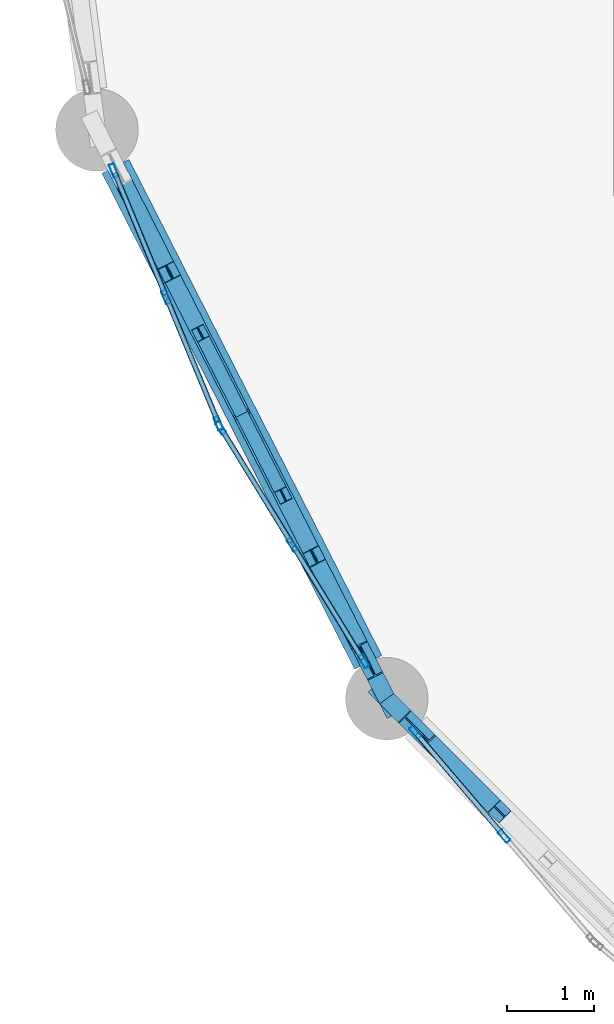
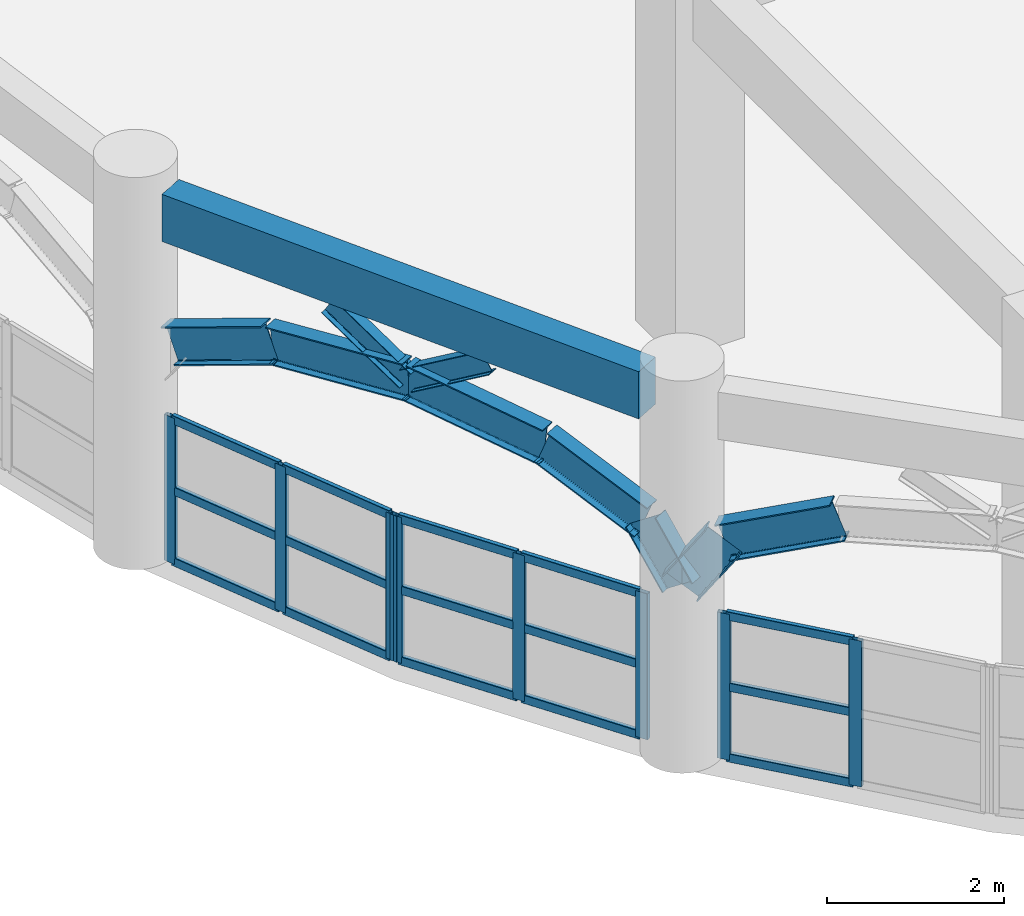
# One storey, part 3 of 114: 25 members, 8 beams, 3 elements without a shape of their own.
"""IFC4 building model written with IfcOpenShell, lengths in metres."""

from ifc_helpers import new_model, si_unit, derived_unit, direction, frame, origin, origin_2d, place, context, subcontext, project, spatial, rectangle, hollow_rectangle, i_section, extrude, material, layer, layer_set, material_profile, profile_set, type_object, element, aggregate, save


model = new_model("IFC4")

# Units and contexts
model_context = context("Model", 3, precision=1e-05, world=origin(), true_north=direction((0.0, 1.0)))
body_context = subcontext(model_context, "Body", "Model", "MODEL_VIEW")
ifc_project = project(units=[si_unit("LENGTHUNIT", "METRE"), si_unit("AREAUNIT", "SQUARE_METRE"), si_unit("VOLUMEUNIT", "CUBIC_METRE"), si_unit("PLANEANGLEUNIT", "RADIAN"), si_unit("MASSUNIT", "GRAM", prefix="KILO"), derived_unit("THERMALTRANSMITTANCEUNIT", [(si_unit("MASSUNIT", "GRAM", prefix="KILO"), 1), (si_unit("TIMEUNIT", "SECOND"), -3), (si_unit("THERMODYNAMICTEMPERATUREUNIT", "KELVIN"), -1)])], contexts=[model_context])

# Site, building, storey
site_placement = place(None, origin())
site = spatial("IfcSite", under=ifc_project, at=site_placement, CompositionType="ELEMENT")
building_placement = place(site_placement, origin())
building = spatial("IfcBuilding", under=site, at=building_placement, Name="Qinzheling Arcade Emporium", CompositionType="ELEMENT")
storey_placement = place(building_placement, frame((0.0, 0.0, 6.0)))
storey = spatial("IfcBuildingStorey", under=building, at=storey_placement, Name="L02", CompositionType="ELEMENT", Elevation=6.0)

# Beams
ifc_material_1 = material(Name="Weathering steel Q355NH", Category="steel")
ifc_material_profile_1 = material_profile(ifc_material_1, i_section(OverallWidth=0.199951171875, OverallDepth=0.5, WebThickness=0.010009765625, FlangeThickness=0.01611328125, FilletRadius=0.01806640625, at=origin_2d()), Name="HN 500x200x10x16", Category="steel")
ifc_profile_set_1 = profile_set([ifc_material_profile_1], Name="Weathering steel Q355NH")
beam_type_1 = type_object("IfcBeamType", Name="Arcade End Arch Rib HN500 Q355NH", PredefinedType="BEAM", material=ifc_profile_set_1)
beam_1_placement = place(storey_placement, frame((1.3740234375, 15.799072265625, 2.988037109375), z_axis=(0.422771604079, -0.831157465024, 0.361166774661), x_axis=(0.891320493951, 0.453373771918, 0.0)))
element("IfcBeam", 1, at=beam_1_placement, inside=storey, type_object=beam_type_1, Name="Curved Arcade Entrance Arch ARC-L02-CV1-B02-C02", PredefinedType="BEAM", context=body_context, shape_type="SweptSolid", body=[
    extrude(i_section(OverallWidth=0.199951171875, OverallDepth=0.5, WebThickness=0.010009765625, FlangeThickness=0.01611328125, FilletRadius=0.01806640625, at=origin_2d()), origin(), (0.0, 0.0, 1.0), 1.442626953125),
])
beam_2_placement = place(storey_placement, frame((1.98388671875, 14.60009765625, 3.509033203125), z_axis=(0.451781588585, -0.886131090151, 0.103271909463), x_axis=(0.890894559015, 0.454210176809, 0.0)))
element("IfcBeam", 2, at=beam_2_placement, inside=storey, type_object=beam_type_1, Name="Curved Arcade Entrance Arch ARC-L02-CV1-B02-C03", PredefinedType="BEAM", context=body_context, shape_type="SweptSolid", body=[
    extrude(i_section(OverallWidth=0.199951171875, OverallDepth=0.5, WebThickness=0.010009765625, FlangeThickness=0.01611328125, FilletRadius=0.01806640625, at=origin_2d()), origin(), (0.0, 0.0, 1.0), 1.8486328125),
])
beam_3_placement = place(storey_placement, frame((2.819091796875, 12.9619140625, 3.699951171875), z_axis=(0.451520149012, -0.886253688268, -0.103363219124), x_axis=(0.89102631267, 0.453951660564, 0.0)))
element("IfcBeam", 3, at=beam_3_placement, inside=storey, type_object=beam_type_1, Name="Curved Arcade Entrance Arch ARC-L02-CV1-B02-C04", PredefinedType="BEAM", context=body_context, shape_type="SweptSolid", body=[
    extrude(i_section(OverallWidth=0.199951171875, OverallDepth=0.5, WebThickness=0.010009765625, FlangeThickness=0.01611328125, FilletRadius=0.01806640625, at=origin_2d()), origin(), (0.0, 0.0, 1.0), 1.84716796875),
])
beam_4_placement = place(storey_placement, frame((3.653076171875, 11.324951171875, 3.509033203125), z_axis=(0.423327341634, -0.83091949431, -0.361063368124), x_axis=(0.89102703505, 0.453950242658, 0.0)))
element("IfcBeam", 4, at=beam_4_placement, inside=storey, type_object=beam_type_1, Name="Curved Arcade Entrance Arch ARC-L02-CV1-B02-C05", PredefinedType="BEAM", context=body_context, shape_type="SweptSolid", body=[
    extrude(i_section(OverallWidth=0.199951171875, OverallDepth=0.5, WebThickness=0.010009765625, FlangeThickness=0.01611328125, FilletRadius=0.01806640625, at=origin_2d()), origin(), (0.0, 0.0, 1.0), 1.44287109375),
])
beam_5_placement = place(storey_placement, frame((4.263916015625, 10.1259765625, 2.988037109375), z_axis=(0.258537508757, -0.506373029134, -0.822644948888), x_axis=(0.890630875605, 0.454726998779, 0.0)))
element("IfcBeam", 5, at=beam_5_placement, inside=storey, type_object=beam_type_1, Name="Curved Arcade Entrance Arch ARC-L02-CV1-B02-C06", PredefinedType="BEAM", context=body_context, shape_type="SweptSolid", body=[
    extrude(i_section(OverallWidth=0.199951171875, OverallDepth=0.5, WebThickness=0.010009765625, FlangeThickness=0.01611328125, FilletRadius=0.01806640625, at=origin_2d()), origin(), (0.0, 0.0, 1.0), 0.866943359375),
])
beam_6_placement = place(storey_placement, frame((4.488037109375, 9.68701171875, 2.27490234375), z_axis=(0.401552002727, -0.401552002727, 0.823111157871), x_axis=(0.707106781187, 0.707106781187, 0.0)))
element("IfcBeam", 6, at=beam_6_placement, inside=storey, type_object=beam_type_1, Name="Curved Arcade Entrance Arch ARC-L02-CV1-B03-C01", PredefinedType="BEAM", context=body_context, shape_type="SweptSolid", body=[
    extrude(i_section(OverallWidth=0.199951171875, OverallDepth=0.5, WebThickness=0.010009765625, FlangeThickness=0.01611328125, FilletRadius=0.01806640625, at=origin_2d()), origin(), (0.0, 0.0, 1.0), 0.866455078125),
])
beam_7_placement = place(storey_placement, frame((4.8359375, 9.339111328125, 2.988037109375), z_axis=(0.659465723282, -0.659465723282, 0.360846116278), x_axis=(0.707106781187, 0.707106781187, 0.0)))
element("IfcBeam", 7, at=beam_7_placement, inside=storey, type_object=beam_type_1, Name="Curved Arcade Entrance Arch ARC-L02-CV1-B03-C02", PredefinedType="BEAM", context=body_context, shape_type="SweptSolid", body=[
    extrude(i_section(OverallWidth=0.199951171875, OverallDepth=0.5, WebThickness=0.010009765625, FlangeThickness=0.01611328125, FilletRadius=0.01806640625, at=origin_2d()), origin(), (0.0, 0.0, 1.0), 1.44384765625),
])

# Members
ifc_material_profile_2 = material_profile(ifc_material_1, i_section(OverallWidth=0.14990234375, OverallDepth=0.300048828125, WebThickness=0.006591796875, FlangeThickness=0.009033203125, FilletRadius=0.012939453125, at=origin_2d()), Name="HN 300x150x6.5x9", Category="steel")
ifc_profile_set_2 = profile_set([ifc_material_profile_2], Name="Weathering steel Q355NH")
member_type_1 = type_object("IfcMemberType", Name="Arcade Spandrel Web Chord HN300 Q355NH", PredefinedType="CHORD", material=ifc_profile_set_2)
member_1_placement = place(storey_placement, frame((2.819091796875, 12.9619140625, 3.7099609375), z_axis=(-0.387767449315, 0.760849744459, 0.520330732908), x_axis=(-0.890961453009, -0.454078946056, 0.0)))
element("IfcMember", 8, at=member_1_placement, inside=storey, type_object=member_type_1, Name="Arcade Spandrel Web Chord ASW-L02-CV1-B02-W1", PredefinedType="CHORD", context=body_context, shape_type="SweptSolid", body=[
    extrude(i_section(OverallWidth=0.14990234375, OverallDepth=0.300048828125, WebThickness=0.006591796875, FlangeThickness=0.009033203125, FilletRadius=0.012939453125, at=origin_2d()), origin(), (0.0, 0.0, 1.0), 1.230224609375),
])
member_2_placement = place(storey_placement, frame((2.819091796875, 12.9619140625, 3.7099609375), z_axis=(0.38789162288, -0.760490027653, 0.520763868505), x_axis=(0.890815681964, 0.454364854238, 0.0)))
element("IfcMember", 9, at=member_2_placement, inside=storey, type_object=member_type_1, Name="Arcade Spandrel Web Chord ASW-L02-CV1-B02-W2", PredefinedType="CHORD", context=body_context, shape_type="SweptSolid", body=[
    extrude(i_section(OverallWidth=0.14990234375, OverallDepth=0.300048828125, WebThickness=0.006591796875, FlangeThickness=0.009033203125, FilletRadius=0.012939453125, at=origin_2d()), origin(), (0.0, 0.0, 1.0), 1.229248046875),
])

# Curtain wall, members
ifc_material_2 = material(Name="Anodised aluminium and solar-control double glazing", Category="aluminium")
ifc_layer = layer(ifc_material_2, 0.159912109375, Name="Anodised aluminium and solar-control double glazing", Category="aluminium")
ifc_layer_set = layer_set([ifc_layer], Name="Anodised aluminium and solar-control double glazing")
curtain_wall_type = type_object("IfcCurtainWallType", Name="Curved Ribbon Sales Curtain Wall", PredefinedType="NOTDEFINED", material=ifc_layer_set)
curtain_wall_1_placement = place(storey_placement, origin())
curtain_wall_1 = element("IfcCurtainWall", 10, at=curtain_wall_1_placement, inside=storey, type_object=curtain_wall_type, Name="Curtain Wall CW-L02-078", PredefinedType="NOTDEFINED")
ifc_material_3 = material(Name="Anodised aluminium 6063-T6", Category="aluminium")
ifc_material_profile_3 = material_profile(ifc_material_3, hollow_rectangle(XDim=0.06005859375, YDim=0.159912109375, WallThickness=0.00390625, InnerFilletRadius=0.00390625, OuterFilletRadius=0.008056640625, at=origin_2d()), Name="RHS 160x60x4", Category="aluminium")
ifc_profile_set_3 = profile_set([ifc_material_profile_3], Name="Anodised aluminium 6063-T6")
member_type_2 = type_object("IfcMemberType", Name="Curtain Wall Mullion RHS160x60", PredefinedType="MULLION", material=ifc_profile_set_3)
member_3_placement = place(storey_placement, frame((5.840576171875, 8.103515625, 0.0), z_axis=(0.0, 0.0, 1.0), x_axis=(-0.760376883098, -0.649482098021, 0.0)))
member_3 = element("IfcMember", 11, at=member_3_placement, type_object=member_type_2, Name="CW02 mullion 2", PredefinedType="MULLION", context=body_context, shape_type="SweptSolid", body=[
    extrude(hollow_rectangle(XDim=0.06005859375, YDim=0.159912109375, WallThickness=0.00390625, InnerFilletRadius=0.00390625, OuterFilletRadius=0.008056640625, at=origin_2d()), origin(), (0.0, 0.0, 1.0), 2.010009765625),
])
member_4_placement = place(storey_placement, frame((4.8173828125, 9.30126953125, 0.0), z_axis=(0.0, 0.0, 1.0), x_axis=(-0.760376883098, -0.649482098021, 0.0)))
member_4 = element("IfcMember", 12, at=member_4_placement, type_object=member_type_2, Name="CW02 mullion 3", PredefinedType="MULLION", context=body_context, shape_type="SweptSolid", body=[
    extrude(hollow_rectangle(XDim=0.06005859375, YDim=0.159912109375, WallThickness=0.00390625, InnerFilletRadius=0.00390625, OuterFilletRadius=0.008056640625, at=origin_2d()), origin(), (0.0, 0.0, 1.0), 2.010009765625),
])

curtain_wall_2_placement = place(storey_placement, origin())
curtain_wall_2 = element("IfcCurtainWall", 13, at=curtain_wall_2_placement, inside=storey, type_object=curtain_wall_type, Name="Curtain Wall CW-L02-079", PredefinedType="NOTDEFINED")
member_5_placement = place(storey_placement, frame((4.223388671875, 10.11962890625, 0.0), z_axis=(0.0, 0.0, 1.0), x_axis=(-0.852534094696, -0.522671615243, 0.0)))
member_5 = element("IfcMember", 14, at=member_5_placement, type_object=member_type_2, Name="CW02 mullion 1", PredefinedType="MULLION", context=body_context, shape_type="SweptSolid", body=[
    extrude(hollow_rectangle(XDim=0.06005859375, YDim=0.159912109375, WallThickness=0.00390625, InnerFilletRadius=0.00390625, OuterFilletRadius=0.008056640625, at=origin_2d()), origin(), (0.0, 0.0, 1.0), 2.010009765625),
])
member_6_placement = place(storey_placement, frame((3.39990234375, 11.46240234375, 0.0), z_axis=(0.0, 0.0, 1.0), x_axis=(-0.852534094696, -0.522671615243, 0.0)))
member_6 = element("IfcMember", 15, at=member_6_placement, type_object=member_type_2, Name="CW02 mullion 2", PredefinedType="MULLION", context=body_context, shape_type="SweptSolid", body=[
    extrude(hollow_rectangle(XDim=0.06005859375, YDim=0.159912109375, WallThickness=0.00390625, InnerFilletRadius=0.00390625, OuterFilletRadius=0.008056640625, at=origin_2d()), origin(), (0.0, 0.0, 1.0), 2.010009765625),
])
member_7_placement = place(storey_placement, frame((2.57666015625, 12.805419921875, 0.0), z_axis=(0.0, 0.0, 1.0), x_axis=(-0.852534094696, -0.522671615243, 0.0)))
member_7 = element("IfcMember", 16, at=member_7_placement, type_object=member_type_2, Name="CW02 mullion 3", PredefinedType="MULLION", context=body_context, shape_type="SweptSolid", body=[
    extrude(hollow_rectangle(XDim=0.06005859375, YDim=0.159912109375, WallThickness=0.00390625, InnerFilletRadius=0.00390625, OuterFilletRadius=0.008056640625, at=origin_2d()), origin(), (0.0, 0.0, 1.0), 2.010009765625),
])

curtain_wall_3_placement = place(storey_placement, origin())
curtain_wall_3 = element("IfcCurtainWall", 17, at=curtain_wall_3_placement, inside=storey, type_object=curtain_wall_type, Name="Curtain Wall CW-L02-080", PredefinedType="NOTDEFINED")
member_8_placement = place(storey_placement, frame((2.549560546875, 12.858642578125, 0.0), z_axis=(0.0, 0.0, 1.0), x_axis=(-0.923940913117, -0.382535212849, 0.0)))
member_8 = element("IfcMember", 18, at=member_8_placement, type_object=member_type_2, Name="CW02 mullion 1", PredefinedType="MULLION", context=body_context, shape_type="SweptSolid", body=[
    extrude(hollow_rectangle(XDim=0.06005859375, YDim=0.159912109375, WallThickness=0.00390625, InnerFilletRadius=0.00390625, OuterFilletRadius=0.008056640625, at=origin_2d()), origin(), (0.0, 0.0, 1.0), 2.010009765625),
])
member_9_placement = place(storey_placement, frame((1.947021484375, 14.31396484375, 0.0), z_axis=(0.0, 0.0, 1.0), x_axis=(-0.923940913117, -0.382535212849, 0.0)))
member_9 = element("IfcMember", 19, at=member_9_placement, type_object=member_type_2, Name="CW02 mullion 2", PredefinedType="MULLION", context=body_context, shape_type="SweptSolid", body=[
    extrude(hollow_rectangle(XDim=0.06005859375, YDim=0.159912109375, WallThickness=0.00390625, InnerFilletRadius=0.00390625, OuterFilletRadius=0.008056640625, at=origin_2d()), origin(), (0.0, 0.0, 1.0), 2.010009765625),
])
member_10_placement = place(storey_placement, frame((1.344482421875, 15.769287109375, 0.0), z_axis=(0.0, 0.0, 1.0), x_axis=(-0.923940913117, -0.382535212849, 0.0)))
member_10 = element("IfcMember", 20, at=member_10_placement, type_object=member_type_2, Name="CW02 mullion 3", PredefinedType="MULLION", context=body_context, shape_type="SweptSolid", body=[
    extrude(hollow_rectangle(XDim=0.06005859375, YDim=0.159912109375, WallThickness=0.00390625, InnerFilletRadius=0.00390625, OuterFilletRadius=0.008056640625, at=origin_2d()), origin(), (0.0, 0.0, 1.0), 2.010009765625),
])

# Member
ifc_material_profile_4 = material_profile(ifc_material_3, hollow_rectangle(XDim=0.06005859375, YDim=0.1201171875, WallThickness=0.00390625, InnerFilletRadius=0.00390625, OuterFilletRadius=0.008056640625, at=origin_2d()), Name="RHS 120x60x4", Category="aluminium")
ifc_profile_set_4 = profile_set([ifc_material_profile_4], Name="Anodised aluminium 6063-T6")
member_type_3 = type_object("IfcMemberType", Name="Curtain Wall Transom RHS120x60", PredefinedType="USERDEFINED", material=ifc_profile_set_4)
member_11_placement = place(storey_placement, frame((5.821044921875, 8.126220703125, 0.030029296875), z_axis=(-0.64950331718, 0.760358758069, 0.0), x_axis=(-0.760358758069, -0.64950331718, 0.0)))
member_11 = element("IfcMember", 21, at=member_11_placement, type_object=member_type_3, Name="CW02 transom 2.1", ObjectType="TRANSOM", PredefinedType="USERDEFINED", context=body_context, shape_type="SweptSolid", body=[
    extrude(hollow_rectangle(XDim=0.06005859375, YDim=0.1201171875, WallThickness=0.00390625, InnerFilletRadius=0.00390625, OuterFilletRadius=0.008056640625, at=origin_2d()), origin(), (0.0, 0.0, 1.0), 1.51513671875),
])

member_12_placement = place(storey_placement, frame((5.821044921875, 8.126220703125, 1.0048828125), z_axis=(-0.64950331718, 0.760358758069, 0.0), x_axis=(-0.760358758069, -0.64950331718, 0.0)))
member_12 = element("IfcMember", 22, at=member_12_placement, type_object=member_type_3, Name="CW02 transom 2.2", ObjectType="TRANSOM", PredefinedType="USERDEFINED", context=body_context, shape_type="SweptSolid", body=[
    extrude(hollow_rectangle(XDim=0.06005859375, YDim=0.1201171875, WallThickness=0.00390625, InnerFilletRadius=0.00390625, OuterFilletRadius=0.008056640625, at=origin_2d()), origin(), (0.0, 0.0, 1.0), 1.51513671875),
])

member_13_placement = place(storey_placement, frame((5.821044921875, 8.126220703125, 1.97998046875), z_axis=(-0.64950331718, 0.760358758069, 0.0), x_axis=(-0.760358758069, -0.64950331718, 0.0)))
member_13 = element("IfcMember", 23, at=member_13_placement, type_object=member_type_3, Name="CW02 transom 2.3", ObjectType="TRANSOM", PredefinedType="USERDEFINED", context=body_context, shape_type="SweptSolid", body=[
    extrude(hollow_rectangle(XDim=0.06005859375, YDim=0.1201171875, WallThickness=0.00390625, InnerFilletRadius=0.00390625, OuterFilletRadius=0.008056640625, at=origin_2d()), origin(), (0.0, 0.0, 1.0), 1.51513671875),
])

aggregate(curtain_wall_1, [member_3, member_4, member_11, member_12, member_13])

member_14_placement = place(storey_placement, frame((4.20751953125, 10.145263671875, 0.030029296875), z_axis=(-0.522577172345, 0.852591988553, 0.0), x_axis=(-0.852591988553, -0.522577172345, 0.0)))
member_14 = element("IfcMember", 24, at=member_14_placement, type_object=member_type_3, Name="CW02 transom 1.1", ObjectType="TRANSOM", PredefinedType="USERDEFINED", context=body_context, shape_type="SweptSolid", body=[
    extrude(hollow_rectangle(XDim=0.06005859375, YDim=0.1201171875, WallThickness=0.00390625, InnerFilletRadius=0.00390625, OuterFilletRadius=0.008056640625, at=origin_2d()), origin(), (0.0, 0.0, 1.0), 1.51513671875),
])

member_15_placement = place(storey_placement, frame((4.20751953125, 10.145263671875, 1.0048828125), z_axis=(-0.522577172345, 0.852591988553, 0.0), x_axis=(-0.852591988553, -0.522577172345, 0.0)))
member_15 = element("IfcMember", 25, at=member_15_placement, type_object=member_type_3, Name="CW02 transom 1.2", ObjectType="TRANSOM", PredefinedType="USERDEFINED", context=body_context, shape_type="SweptSolid", body=[
    extrude(hollow_rectangle(XDim=0.06005859375, YDim=0.1201171875, WallThickness=0.00390625, InnerFilletRadius=0.00390625, OuterFilletRadius=0.008056640625, at=origin_2d()), origin(), (0.0, 0.0, 1.0), 1.51513671875),
])

member_16_placement = place(storey_placement, frame((4.20751953125, 10.145263671875, 1.97998046875), z_axis=(-0.522577172345, 0.852591988553, 0.0), x_axis=(-0.852591988553, -0.522577172345, 0.0)))
member_16 = element("IfcMember", 26, at=member_16_placement, type_object=member_type_3, Name="CW02 transom 1.3", ObjectType="TRANSOM", PredefinedType="USERDEFINED", context=body_context, shape_type="SweptSolid", body=[
    extrude(hollow_rectangle(XDim=0.06005859375, YDim=0.1201171875, WallThickness=0.00390625, InnerFilletRadius=0.00390625, OuterFilletRadius=0.008056640625, at=origin_2d()), origin(), (0.0, 0.0, 1.0), 1.51513671875),
])

member_17_placement = place(storey_placement, frame((3.38427734375, 11.488037109375, 0.030029296875), z_axis=(-0.522694292361, 0.852520191393, 0.0), x_axis=(-0.852520191393, -0.522694292361, 0.0)))
member_17 = element("IfcMember", 27, at=member_17_placement, type_object=member_type_3, Name="CW02 transom 2.1", ObjectType="TRANSOM", PredefinedType="USERDEFINED", context=body_context, shape_type="SweptSolid", body=[
    extrude(hollow_rectangle(XDim=0.06005859375, YDim=0.1201171875, WallThickness=0.00390625, InnerFilletRadius=0.00390625, OuterFilletRadius=0.008056640625, at=origin_2d()), origin(), (0.0, 0.0, 1.0), 1.51513671875),
])

member_18_placement = place(storey_placement, frame((3.38427734375, 11.488037109375, 1.0048828125), z_axis=(-0.522694292361, 0.852520191393, 0.0), x_axis=(-0.852520191393, -0.522694292361, 0.0)))
member_18 = element("IfcMember", 28, at=member_18_placement, type_object=member_type_3, Name="CW02 transom 2.2", ObjectType="TRANSOM", PredefinedType="USERDEFINED", context=body_context, shape_type="SweptSolid", body=[
    extrude(hollow_rectangle(XDim=0.06005859375, YDim=0.1201171875, WallThickness=0.00390625, InnerFilletRadius=0.00390625, OuterFilletRadius=0.008056640625, at=origin_2d()), origin(), (0.0, 0.0, 1.0), 1.51513671875),
])

member_19_placement = place(storey_placement, frame((3.38427734375, 11.488037109375, 1.97998046875), z_axis=(-0.522694292361, 0.852520191393, 0.0), x_axis=(-0.852520191393, -0.522694292361, 0.0)))
member_19 = element("IfcMember", 29, at=member_19_placement, type_object=member_type_3, Name="CW02 transom 2.3", ObjectType="TRANSOM", PredefinedType="USERDEFINED", context=body_context, shape_type="SweptSolid", body=[
    extrude(hollow_rectangle(XDim=0.06005859375, YDim=0.1201171875, WallThickness=0.00390625, InnerFilletRadius=0.00390625, OuterFilletRadius=0.008056640625, at=origin_2d()), origin(), (0.0, 0.0, 1.0), 1.51513671875),
])

aggregate(curtain_wall_2, [member_5, member_6, member_7, member_14, member_15, member_16, member_17, member_18, member_19])

member_20_placement = place(storey_placement, frame((2.5380859375, 12.886474609375, 0.030029296875), z_axis=(-0.382532059197, 0.923942218803, 0.0), x_axis=(-0.923942218803, -0.382532059197, 0.0)))
member_20 = element("IfcMember", 30, at=member_20_placement, type_object=member_type_3, Name="CW02 transom 1.1", ObjectType="TRANSOM", PredefinedType="USERDEFINED", context=body_context, shape_type="SweptSolid", body=[
    extrude(hollow_rectangle(XDim=0.06005859375, YDim=0.1201171875, WallThickness=0.00390625, InnerFilletRadius=0.00390625, OuterFilletRadius=0.008056640625, at=origin_2d()), origin(), (0.0, 0.0, 1.0), 1.51513671875),
])

member_21_placement = place(storey_placement, frame((2.5380859375, 12.886474609375, 1.0048828125), z_axis=(-0.382532059197, 0.923942218803, 0.0), x_axis=(-0.923942218803, -0.382532059197, 0.0)))
member_21 = element("IfcMember", 31, at=member_21_placement, type_object=member_type_3, Name="CW02 transom 1.2", ObjectType="TRANSOM", PredefinedType="USERDEFINED", context=body_context, shape_type="SweptSolid", body=[
    extrude(hollow_rectangle(XDim=0.06005859375, YDim=0.1201171875, WallThickness=0.00390625, InnerFilletRadius=0.00390625, OuterFilletRadius=0.008056640625, at=origin_2d()), origin(), (0.0, 0.0, 1.0), 1.51513671875),
])

member_22_placement = place(storey_placement, frame((2.5380859375, 12.886474609375, 1.97998046875), z_axis=(-0.382532059197, 0.923942218803, 0.0), x_axis=(-0.923942218803, -0.382532059197, 0.0)))
member_22 = element("IfcMember", 32, at=member_22_placement, type_object=member_type_3, Name="CW02 transom 1.3", ObjectType="TRANSOM", PredefinedType="USERDEFINED", context=body_context, shape_type="SweptSolid", body=[
    extrude(hollow_rectangle(XDim=0.06005859375, YDim=0.1201171875, WallThickness=0.00390625, InnerFilletRadius=0.00390625, OuterFilletRadius=0.008056640625, at=origin_2d()), origin(), (0.0, 0.0, 1.0), 1.51513671875),
])

member_23_placement = place(storey_placement, frame((1.935546875, 14.341796875, 0.030029296875), z_axis=(-0.382589017743, 0.923918634676, 0.0), x_axis=(-0.923918634676, -0.382589017743, 0.0)))
member_23 = element("IfcMember", 33, at=member_23_placement, type_object=member_type_3, Name="CW02 transom 2.1", ObjectType="TRANSOM", PredefinedType="USERDEFINED", context=body_context, shape_type="SweptSolid", body=[
    extrude(hollow_rectangle(XDim=0.06005859375, YDim=0.1201171875, WallThickness=0.00390625, InnerFilletRadius=0.00390625, OuterFilletRadius=0.008056640625, at=origin_2d()), origin(), (0.0, 0.0, 1.0), 1.514892578125),
])

member_24_placement = place(storey_placement, frame((1.935546875, 14.341796875, 1.0048828125), z_axis=(-0.382589017743, 0.923918634676, 0.0), x_axis=(-0.923918634676, -0.382589017743, 0.0)))
member_24 = element("IfcMember", 34, at=member_24_placement, type_object=member_type_3, Name="CW02 transom 2.2", ObjectType="TRANSOM", PredefinedType="USERDEFINED", context=body_context, shape_type="SweptSolid", body=[
    extrude(hollow_rectangle(XDim=0.06005859375, YDim=0.1201171875, WallThickness=0.00390625, InnerFilletRadius=0.00390625, OuterFilletRadius=0.008056640625, at=origin_2d()), origin(), (0.0, 0.0, 1.0), 1.514892578125),
])

member_25_placement = place(storey_placement, frame((1.935546875, 14.341796875, 1.97998046875), z_axis=(-0.382589017743, 0.923918634676, 0.0), x_axis=(-0.923918634676, -0.382589017743, 0.0)))
member_25 = element("IfcMember", 35, at=member_25_placement, type_object=member_type_3, Name="CW02 transom 2.3", ObjectType="TRANSOM", PredefinedType="USERDEFINED", context=body_context, shape_type="SweptSolid", body=[
    extrude(hollow_rectangle(XDim=0.06005859375, YDim=0.1201171875, WallThickness=0.00390625, InnerFilletRadius=0.00390625, OuterFilletRadius=0.008056640625, at=origin_2d()), origin(), (0.0, 0.0, 1.0), 1.514892578125),
])

aggregate(curtain_wall_3, [member_8, member_9, member_10, member_20, member_21, member_22, member_23, member_24, member_25])

# Beam
ifc_material_4 = material(Name="Concrete C40", Category="concrete")
ifc_material_profile_5 = material_profile(ifc_material_4, rectangle(XDim=0.35009765625, YDim=0.64990234375, at=origin_2d()), Name="RC 350x650", Category="concrete")
ifc_profile_set_5 = profile_set([ifc_material_profile_5], Name="Concrete C40")
beam_type_2 = type_object("IfcBeamType", Name="RC Spandrel Edge Beam 350x650 C40", PredefinedType="SPANDREL", material=ifc_profile_set_5)
beam_8_placement = place(storey_placement, frame((1.363037109375, 15.819091796875, 4.794921875), z_axis=(0.454099157657, -0.890951151868, 0.0), x_axis=(0.890951151868, 0.454099157657, 0.0)))
element("IfcBeam", 36, at=beam_8_placement, inside=storey, type_object=beam_type_2, Name="Curved Arcade Spandrel BM-L02-CV1-B02", PredefinedType="SPANDREL", context=body_context, shape_type="SweptSolid", body=[
    extrude(rectangle(XDim=0.35009765625, YDim=0.64990234375, at=origin_2d()), origin(), (0.0, 0.0, 1.0), 6.412353515625),
])

save(model, "model.ifc")
